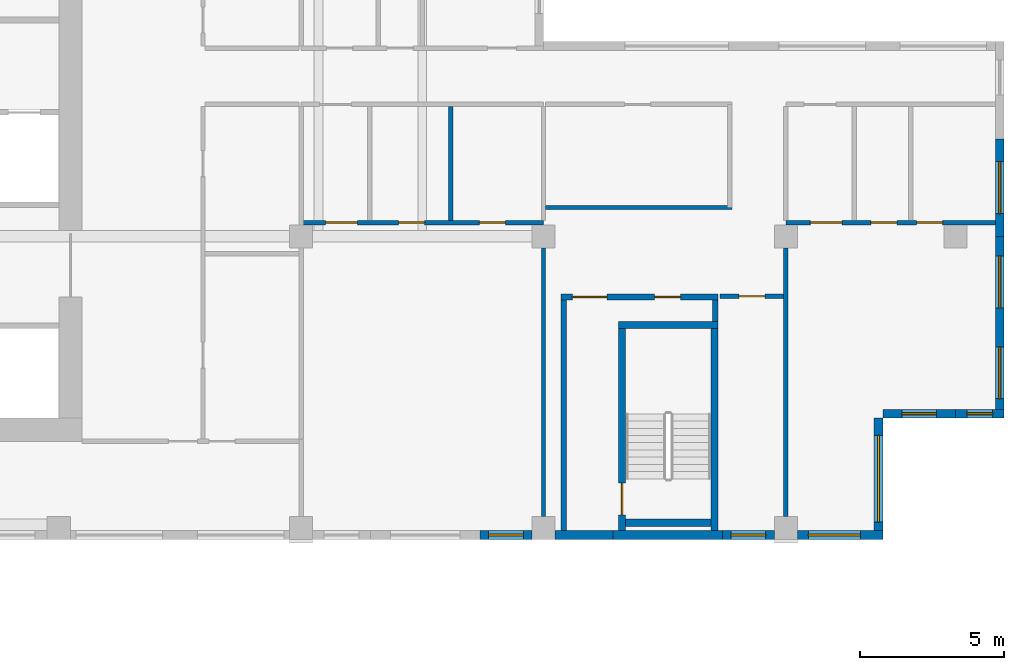
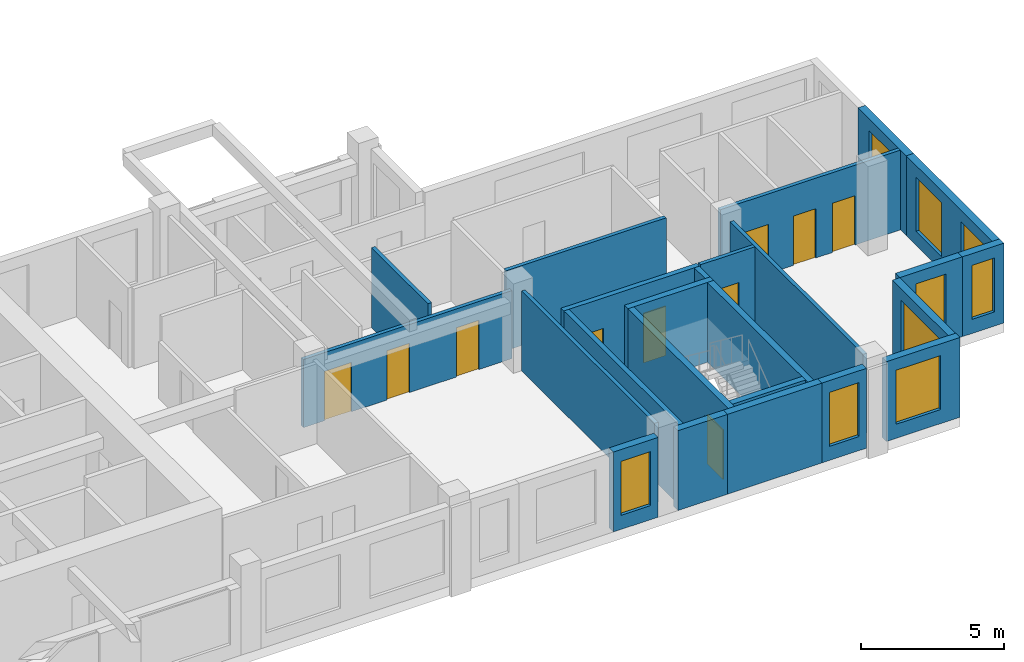
# One storey, part 4 of 11: 24 walls, 10 doors, 9 windows, 19 openings.
"""IFC4 building model written with IfcOpenShell, lengths in metres."""

from ifc_helpers import new_model, si_unit, direction, frame, frame_2d, origin, place, context, subcontext, project, spatial, rectangle, extrude, source, transform, mapped, material, layer, layer_set, type_object, element, fill, save


model = new_model("IFC4")

# Units and contexts
model_context = context("Model", 3, precision=1e-05, world=origin(), true_north=direction((0.0, 1.0)))
body_context = subcontext(model_context, "Body", "Model", "MODEL_VIEW")
ifc_project = project(units=[si_unit("LENGTHUNIT", "METRE"), si_unit("AREAUNIT", "SQUARE_METRE"), si_unit("VOLUMEUNIT", "CUBIC_METRE"), si_unit("PLANEANGLEUNIT", "RADIAN"), si_unit("MASSUNIT", "GRAM", prefix="KILO")], contexts=[model_context])

# Site, building, storey
site_placement = place(None, origin())
site = spatial("IfcSite", under=ifc_project, at=site_placement, CompositionType="ELEMENT")
building_placement = place(site_placement, origin())
building = spatial("IfcBuilding", under=site, at=building_placement, Name="Aurelian Terraces", CompositionType="ELEMENT")
storey_placement = place(building_placement, frame((0.0, 0.0, 250.0)))
storey = spatial("IfcBuildingStorey", under=building, at=storey_placement, Name="L57", CompositionType="ELEMENT", Elevation=250.0)

# Wall, opening, window
ifc_material_1 = material(Name="Terracotta rainscreen cladding", Category="masonry")
ifc_layer_1 = layer(ifc_material_1, 0.3)
ifc_layer_set_1 = layer_set([ifc_layer_1], Name="EW-300")
wall_type_1 = type_object("IfcWallType", Name="EW-300", PredefinedType="STANDARD", material=ifc_layer_set_1)
shared_shape_1 = source(origin(), body_context, "Body", "SweptSolid", [
    extrude(rectangle(XDim=4.2, YDim=0.3, at=frame_2d((2.1, 0.0))), origin(), (0.0, 0.0, 1.0), 3.4),
])
wall_1_placement = place(storey_placement, frame((49.41, 0.0, 0.0), z_axis=(0.0, 0.0, 1.0), x_axis=(0.0, 1.0, 0.0)))
wall_1 = element("IfcWall", 1, at=wall_1_placement, inside=storey, type_object=wall_type_1, Name="External wall L57 F02.7", PredefinedType="STANDARD", context=body_context, shape_type="MappedRepresentation", body=[
    mapped(shared_shape_1, transform((0.0, 0.0, 0.0), scale=1.0)),
])
shared_shape_2 = source(origin(), body_context, "Body", "SweptSolid", [
    extrude(rectangle(XDim=3.0, YDim=2.3, at=frame_2d((1.5, 1.15))), frame((0.0, 0.16, 0.0), z_axis=(0.0, -1.0, 0.0), x_axis=(1.0, 0.0, 0.0)), (0.0, 0.0, 1.0), 0.32),
])
opening_1_placement = place(wall_1_placement, frame((0.6, 0.0, 0.6)))
opening_1 = element("IfcOpeningElement", 2, at=opening_1_placement, cuts=wall_1, Name="Opening W3023", PredefinedType="OPENING", context=body_context, shape_type="MappedRepresentation", body=[
    mapped(shared_shape_2, transform((0.0, 0.0, 0.0), scale=1.0)),
])
ifc_material_2 = material(Name="Clear glazing", Category="glass")
window_type_1 = type_object("IfcWindowType", Name="W-3000x2300", PartitioningType="SINGLE_PANEL", PredefinedType="WINDOW", material=ifc_material_2)
shared_shape_3 = source(origin(), body_context, "Body", "SweptSolid", [
    extrude(rectangle(XDim=3.0, YDim=2.3, at=frame_2d((1.5, 1.15))), frame((0.0, 0.03, 0.0), z_axis=(0.0, -1.0, 0.0), x_axis=(1.0, 0.0, 0.0)), (0.0, 0.0, 1.0), 0.06),
])
window_1_placement = place(opening_1_placement, origin())
window_1 = element("IfcWindow", 3, at=window_1_placement, inside=storey, type_object=window_type_1, Name="Window L57 L57-F02-07-0", OverallHeight=2.3, OverallWidth=3.0, PartitioningType="SINGLE_PANEL", PredefinedType="WINDOW", context=body_context, shape_type="MappedRepresentation", body=[
    mapped(shared_shape_3, transform((0.0, 0.0, 0.0), scale=1.0)),
])
fill(opening_1, window_1)

shared_shape_4 = source(origin(), body_context, "Body", "SweptSolid", [
    extrude(rectangle(XDim=2.52, YDim=0.3, at=frame_2d((1.26, 0.0))), origin(), (0.0, 0.0, 1.0), 3.4),
])
wall_2_placement = place(storey_placement, frame((49.56, 4.35, 0.0), z_axis=(0.0, 0.0, 1.0), x_axis=(1.0, 0.0, 0.0)))
wall_2 = element("IfcWall", 4, at=wall_2_placement, inside=storey, type_object=wall_type_1, Name="External wall L57 F03.8", PredefinedType="STANDARD", context=body_context, shape_type="MappedRepresentation", body=[
    mapped(shared_shape_4, transform((0.0, 0.0, 0.0), scale=1.0)),
])
shared_shape_5 = source(origin(), body_context, "Body", "SweptSolid", [
    extrude(rectangle(XDim=1.2, YDim=2.3, at=frame_2d((0.6, 1.15))), frame((0.0, 0.16, 0.0), z_axis=(0.0, -1.0, 0.0), x_axis=(1.0, 0.0, 0.0)), (0.0, 0.0, 1.0), 0.32),
])
opening_2_placement = place(wall_2_placement, frame((0.66, 0.0, 0.6)))
opening_2 = element("IfcOpeningElement", 5, at=opening_2_placement, cuts=wall_2, Name="Opening W1223", PredefinedType="OPENING", context=body_context, shape_type="MappedRepresentation", body=[
    mapped(shared_shape_5, transform((0.0, 0.0, 0.0), scale=1.0)),
])
window_type_2 = type_object("IfcWindowType", Name="W-1200x2300", PartitioningType="SINGLE_PANEL", PredefinedType="WINDOW", material=ifc_material_2)
shared_shape_6 = source(origin(), body_context, "Body", "SweptSolid", [
    extrude(rectangle(XDim=1.2, YDim=2.3, at=frame_2d((0.6, 1.15))), frame((0.0, 0.03, 0.0), z_axis=(0.0, -1.0, 0.0), x_axis=(1.0, 0.0, 0.0)), (0.0, 0.0, 1.0), 0.06),
])
window_2_placement = place(opening_2_placement, origin())
window_2 = element("IfcWindow", 6, at=window_2_placement, inside=storey, type_object=window_type_2, Name="Window L57 L57-F03-08-0", OverallHeight=2.3, OverallWidth=1.2, PartitioningType="SINGLE_PANEL", PredefinedType="WINDOW", context=body_context, shape_type="MappedRepresentation", body=[
    mapped(shared_shape_6, transform((0.0, 0.0, 0.0), scale=1.0)),
])
fill(opening_2, window_2)

shared_shape_7 = source(origin(), body_context, "Body", "SweptSolid", [
    extrude(rectangle(XDim=1.68, YDim=0.3, at=frame_2d((0.84, 0.0))), origin(), (0.0, 0.0, 1.0), 3.4),
])
wall_3_placement = place(storey_placement, frame((52.08, 4.35, 0.0), z_axis=(0.0, 0.0, 1.0), x_axis=(1.0, 0.0, 0.0)))
wall_3 = element("IfcWall", 7, at=wall_3_placement, inside=storey, type_object=wall_type_1, Name="External wall L57 F03.9", PredefinedType="STANDARD", context=body_context, shape_type="MappedRepresentation", body=[
    mapped(shared_shape_7, transform((0.0, 0.0, 0.0), scale=1.0)),
])
shared_shape_8 = source(origin(), body_context, "Body", "SweptSolid", [
    extrude(rectangle(XDim=0.9, YDim=2.3, at=frame_2d((0.45, 1.15))), frame((0.0, 0.16, 0.0), z_axis=(0.0, -1.0, 0.0), x_axis=(1.0, 0.0, 0.0)), (0.0, 0.0, 1.0), 0.32),
])
opening_3_placement = place(wall_3_placement, frame((0.39, 0.0, 0.6)))
opening_3 = element("IfcOpeningElement", 8, at=opening_3_placement, cuts=wall_3, Name="Opening W0923", PredefinedType="OPENING", context=body_context, shape_type="MappedRepresentation", body=[
    mapped(shared_shape_8, transform((0.0, 0.0, 0.0), scale=1.0)),
])
window_type_3 = type_object("IfcWindowType", Name="W-900x2300", PartitioningType="SINGLE_PANEL", PredefinedType="WINDOW", material=ifc_material_2)
shared_shape_9 = source(origin(), body_context, "Body", "SweptSolid", [
    extrude(rectangle(XDim=0.9, YDim=2.3, at=frame_2d((0.45, 1.15))), frame((0.0, 0.03, 0.0), z_axis=(0.0, -1.0, 0.0), x_axis=(1.0, 0.0, 0.0)), (0.0, 0.0, 1.0), 0.06),
])
window_3_placement = place(opening_3_placement, origin())
window_3 = element("IfcWindow", 9, at=window_3_placement, inside=storey, type_object=window_type_3, Name="Window L57 L57-F03-09-P0", OverallHeight=2.3, OverallWidth=0.9, PartitioningType="SINGLE_PANEL", PredefinedType="WINDOW", context=body_context, shape_type="MappedRepresentation", body=[
    mapped(shared_shape_9, transform((0.0, 0.0, 0.0), scale=1.0)),
])
fill(opening_3, window_3)

# Wall
ifc_material_3 = material(Name="Concrete fc' 40 MPa", Category="concrete")
ifc_layer_2 = layer(ifc_material_3, 0.3)
ifc_layer_set_2 = layer_set([ifc_layer_2], Name="STAIR BAY WALL 300")
wall_type_2 = type_object("IfcWallType", Name="STAIR BAY WALL 300", PredefinedType="SOLIDWALL", material=ifc_layer_set_2)
shared_shape_10 = source(origin(), body_context, "Body", "SweptSolid", [
    extrude(rectangle(XDim=3.8, YDim=0.3, at=frame_2d((1.9, 0.0))), origin(), (0.0, 0.0, 1.0), 3.4),
])
wall_4_placement = place(storey_placement, frame((40.2, 0.15, 0.0), z_axis=(0.0, 0.0, 1.0), x_axis=(1.0, 0.0, 0.0)))
element("IfcWall", 10, at=wall_4_placement, inside=storey, type_object=wall_type_2, Name="Stair bay wall L57 F01.5", PredefinedType="SOLIDWALL", context=body_context, shape_type="MappedRepresentation", body=[
    mapped(shared_shape_10, transform((0.0, 0.0, 0.0), scale=1.0)),
])

# Wall, openings, windows
shared_shape_11 = source(origin(), body_context, "Body", "SweptSolid", [
    extrude(rectangle(XDim=6.3, YDim=0.3, at=frame_2d((3.15, 0.0))), origin(), (0.0, 0.0, 1.0), 3.4),
])
wall_5_placement = place(storey_placement, frame((53.61, 4.2, 0.0), z_axis=(0.0, 0.0, 1.0), x_axis=(0.0, 1.0, 0.0)))
wall_5 = element("IfcWall", 11, at=wall_5_placement, inside=storey, type_object=wall_type_1, Name="External wall L57 F04.10", PredefinedType="STANDARD", context=body_context, shape_type="MappedRepresentation", body=[
    mapped(shared_shape_11, transform((0.0, 0.0, 0.0), scale=1.0)),
])
shared_shape_12 = source(origin(), body_context, "Body", "SweptSolid", [
    extrude(rectangle(XDim=1.8, YDim=2.3, at=frame_2d((0.9, 1.15))), frame((0.0, 0.16, 0.0), z_axis=(0.0, -1.0, 0.0), x_axis=(1.0, 0.0, 0.0)), (0.0, 0.0, 1.0), 0.32),
])
opening_4_placement = place(wall_5_placement, frame((0.675, 0.0, 0.6)))
opening_4 = element("IfcOpeningElement", 12, at=opening_4_placement, cuts=wall_5, Name="Opening W1823", PredefinedType="OPENING", context=body_context, shape_type="MappedRepresentation", body=[
    mapped(shared_shape_12, transform((0.0, 0.0, 0.0), scale=1.0)),
])
opening_5_placement = place(wall_5_placement, frame((3.825, 0.0, 0.6)))
opening_5 = element("IfcOpeningElement", 13, at=opening_5_placement, cuts=wall_5, Name="Opening W1823", PredefinedType="OPENING", context=body_context, shape_type="MappedRepresentation", body=[
    mapped(shared_shape_12, transform((0.0, 0.0, 0.0), scale=1.0)),
])
window_type_4 = type_object("IfcWindowType", Name="W-1800x2300", PartitioningType="SINGLE_PANEL", PredefinedType="WINDOW", material=ifc_material_2)
shared_shape_13 = source(origin(), body_context, "Body", "SweptSolid", [
    extrude(rectangle(XDim=1.8, YDim=2.3, at=frame_2d((0.9, 1.15))), frame((0.0, 0.03, 0.0), z_axis=(0.0, -1.0, 0.0), x_axis=(1.0, 0.0, 0.0)), (0.0, 0.0, 1.0), 0.06),
])
window_4_placement = place(opening_4_placement, origin())
window_4 = element("IfcWindow", 14, at=window_4_placement, inside=storey, type_object=window_type_4, Name="Window L57 L57-F04-10-0", OverallHeight=2.3, OverallWidth=1.8, PartitioningType="SINGLE_PANEL", PredefinedType="WINDOW", context=body_context, shape_type="MappedRepresentation", body=[
    mapped(shared_shape_13, transform((0.0, 0.0, 0.0), scale=1.0)),
])
fill(opening_4, window_4)
window_5_placement = place(opening_5_placement, origin())
window_5 = element("IfcWindow", 15, at=window_5_placement, inside=storey, type_object=window_type_4, Name="Window L57 L57-F04-10-1", OverallHeight=2.3, OverallWidth=1.8, PartitioningType="SINGLE_PANEL", PredefinedType="WINDOW", context=body_context, shape_type="MappedRepresentation", body=[
    mapped(shared_shape_13, transform((0.0, 0.0, 0.0), scale=1.0)),
])
fill(opening_5, window_5)

# Wall, opening, window
shared_shape_14 = source(origin(), body_context, "Body", "SweptSolid", [
    extrude(rectangle(XDim=3.375, YDim=0.3, at=frame_2d((1.6875, 0.0))), origin(), (0.0, 0.0, 1.0), 3.4),
])
wall_6_placement = place(storey_placement, frame((53.61, 10.5, 0.0), z_axis=(0.0, 0.0, 1.0), x_axis=(0.0, 1.0, 0.0)))
wall_6 = element("IfcWall", 16, at=wall_6_placement, inside=storey, type_object=wall_type_1, Name="External wall L57 F04.11", PredefinedType="STANDARD", context=body_context, shape_type="MappedRepresentation", body=[
    mapped(shared_shape_14, transform((0.0, 0.0, 0.0), scale=1.0)),
])
opening_6_placement = place(wall_6_placement, frame((0.7875, 0.0, 0.6)))
opening_6 = element("IfcOpeningElement", 17, at=opening_6_placement, cuts=wall_6, Name="Opening W1823", PredefinedType="OPENING", context=body_context, shape_type="MappedRepresentation", body=[
    mapped(shared_shape_12, transform((0.0, 0.0, 0.0), scale=1.0)),
])
window_6_placement = place(opening_6_placement, origin())
window_6 = element("IfcWindow", 18, at=window_6_placement, inside=storey, type_object=window_type_4, Name="Window L57 L57-F04-11-0", OverallHeight=2.3, OverallWidth=1.8, PartitioningType="SINGLE_PANEL", PredefinedType="WINDOW", context=body_context, shape_type="MappedRepresentation", body=[
    mapped(shared_shape_13, transform((0.0, 0.0, 0.0), scale=1.0)),
])
fill(opening_6, window_6)

shared_shape_15 = source(origin(), body_context, "Body", "SweptSolid", [
    extrude(rectangle(XDim=2.96, YDim=0.3, at=frame_2d((1.48, 0.0))), origin(), (0.0, 0.0, 1.0), 3.4),
])
wall_7_placement = place(storey_placement, frame((46.6, 0.15, 0.0), z_axis=(0.0, 0.0, 1.0), x_axis=(1.0, 0.0, 0.0)))
wall_7 = element("IfcWall", 19, at=wall_7_placement, inside=storey, type_object=wall_type_1, Name="External wall L57 F01.6", PredefinedType="STANDARD", context=body_context, shape_type="MappedRepresentation", body=[
    mapped(shared_shape_15, transform((0.0, 0.0, 0.0), scale=1.0)),
])
opening_7_placement = place(wall_7_placement, frame((0.38, 0.0, 0.6)))
opening_7 = element("IfcOpeningElement", 20, at=opening_7_placement, cuts=wall_7, Name="Opening W1823", PredefinedType="OPENING", context=body_context, shape_type="MappedRepresentation", body=[
    mapped(shared_shape_12, transform((0.0, 0.0, 0.0), scale=1.0)),
])
window_7_placement = place(opening_7_placement, origin())
window_7 = element("IfcWindow", 21, at=window_7_placement, inside=storey, type_object=window_type_4, Name="Window L57 L57-F01-06-0", OverallHeight=2.3, OverallWidth=1.8, PartitioningType="SINGLE_PANEL", PredefinedType="WINDOW", context=body_context, shape_type="MappedRepresentation", body=[
    mapped(shared_shape_13, transform((0.0, 0.0, 0.0), scale=1.0)),
])
fill(opening_7, window_7)

# Wall
shared_shape_16 = source(origin(), body_context, "Body", "SweptSolid", [
    extrude(rectangle(XDim=2.0, YDim=0.3, at=frame_2d((1.0, 0.0))), origin(), (0.0, 0.0, 1.0), 3.4),
])
wall_8_placement = place(storey_placement, frame((38.2, 0.15, 0.0), z_axis=(0.0, 0.0, 1.0), x_axis=(1.0, 0.0, 0.0)))
element("IfcWall", 22, at=wall_8_placement, inside=storey, type_object=wall_type_1, Name="External wall L57 F01.5", PredefinedType="STANDARD", context=body_context, shape_type="MappedRepresentation", body=[
    mapped(shared_shape_16, transform((0.0, 0.0, 0.0), scale=1.0)),
])

# Wall, opening, window
shared_shape_17 = source(origin(), body_context, "Body", "SweptSolid", [
    extrude(rectangle(XDim=1.8, YDim=0.3, at=frame_2d((0.9, 0.0))), origin(), (0.0, 0.0, 1.0), 3.4),
])
wall_9_placement = place(storey_placement, frame((35.6, 0.15, 0.0), z_axis=(0.0, 0.0, 1.0), x_axis=(1.0, 0.0, 0.0)))
wall_9 = element("IfcWall", 23, at=wall_9_placement, inside=storey, type_object=wall_type_1, Name="External wall L57 F01.4", PredefinedType="STANDARD", context=body_context, shape_type="MappedRepresentation", body=[
    mapped(shared_shape_17, transform((0.0, 0.0, 0.0), scale=1.0)),
])
opening_8_placement = place(wall_9_placement, frame((0.3, 0.0, 0.6)))
opening_8 = element("IfcOpeningElement", 24, at=opening_8_placement, cuts=wall_9, Name="Opening W1223", PredefinedType="OPENING", context=body_context, shape_type="MappedRepresentation", body=[
    mapped(shared_shape_5, transform((0.0, 0.0, 0.0), scale=1.0)),
])
window_8_placement = place(opening_8_placement, origin())
window_8 = element("IfcWindow", 25, at=window_8_placement, inside=storey, type_object=window_type_2, Name="Window L57 L57-F01-04-P2", OverallHeight=2.3, OverallWidth=1.2, PartitioningType="SINGLE_PANEL", PredefinedType="WINDOW", context=body_context, shape_type="MappedRepresentation", body=[
    mapped(shared_shape_6, transform((0.0, 0.0, 0.0), scale=1.0)),
])
fill(opening_8, window_8)

wall_10_placement = place(storey_placement, frame((44.0, 0.15, 0.0), z_axis=(0.0, 0.0, 1.0), x_axis=(1.0, 0.0, 0.0)))
wall_10 = element("IfcWall", 26, at=wall_10_placement, inside=storey, type_object=wall_type_1, Name="External wall L57 F01.5", PredefinedType="STANDARD", context=body_context, shape_type="MappedRepresentation", body=[
    mapped(shared_shape_17, transform((0.0, 0.0, 0.0), scale=1.0)),
])
opening_9_placement = place(wall_10_placement, frame((0.3, 0.0, 0.6)))
opening_9 = element("IfcOpeningElement", 27, at=opening_9_placement, cuts=wall_10, Name="Opening W1223", PredefinedType="OPENING", context=body_context, shape_type="MappedRepresentation", body=[
    mapped(shared_shape_5, transform((0.0, 0.0, 0.0), scale=1.0)),
])
window_9_placement = place(opening_9_placement, origin())
window_9 = element("IfcWindow", 28, at=window_9_placement, inside=storey, type_object=window_type_2, Name="Window L57 L57-F01-05-P2", OverallHeight=2.3, OverallWidth=1.2, PartitioningType="SINGLE_PANEL", PredefinedType="WINDOW", context=body_context, shape_type="MappedRepresentation", body=[
    mapped(shared_shape_6, transform((0.0, 0.0, 0.0), scale=1.0)),
])
fill(opening_9, window_9)

# Wall, opening, door
ifc_layer_3 = layer(ifc_material_3, 0.25)
ifc_layer_set_3 = layer_set([ifc_layer_3], Name="Stair enclosure wall 250")
wall_type_3 = type_object("IfcWallType", Name="Stair enclosure wall 250", PredefinedType="SOLIDWALL", material=ifc_layer_set_3)
shared_shape_18 = source(origin(), body_context, "Body", "SweptSolid", [
    extrude(rectangle(XDim=7.0, YDim=0.25, at=frame_2d((3.5, 0.0))), origin(), (0.0, 0.0, 1.0), 3.4),
])
wall_11_placement = place(storey_placement, frame((40.525, 0.3, 0.0), z_axis=(0.0, 0.0, 1.0), x_axis=(0.0, 1.0, 0.0)))
wall_11 = element("IfcWall", 29, at=wall_11_placement, inside=storey, type_object=wall_type_3, Name="L57 core wall ST-S2-W", PredefinedType="SOLIDWALL", context=body_context, shape_type="MappedRepresentation", body=[
    mapped(shared_shape_18, transform((0.0, 0.0, 0.0), scale=1.0)),
])
shared_shape_19 = source(origin(), body_context, "Body", "SweptSolid", [
    extrude(rectangle(XDim=1.1, YDim=2.1, at=frame_2d((0.55, 1.05))), frame((0.0, 0.135, 0.0), z_axis=(0.0, -1.0, 0.0), x_axis=(1.0, 0.0, 0.0)), (0.0, 0.0, 1.0), 0.27),
])
opening_10_placement = place(wall_11_placement, frame((0.55, 0.0, 0.0)))
opening_10 = element("IfcOpeningElement", 30, at=opening_10_placement, cuts=wall_11, Name="Opening 66015", PredefinedType="OPENING", context=body_context, shape_type="MappedRepresentation", body=[
    mapped(shared_shape_19, transform((0.0, 0.0, 0.0), scale=1.0)),
])
ifc_material_4 = material(Name="Steel door leaf", Category="steel")
door_type_1 = type_object("IfcDoorType", Name="Core fire door 1100x2100 right", OperationType="SINGLE_SWING_RIGHT", PredefinedType="DOOR", material=ifc_material_4)
shared_shape_20 = source(origin(), body_context, "Body", "SweptSolid", [
    extrude(rectangle(XDim=1.1, YDim=2.1, at=frame_2d((0.55, 1.05))), frame((0.0, 0.025, 0.0), z_axis=(0.0, -1.0, 0.0), x_axis=(1.0, 0.0, 0.0)), (0.0, 0.0, 1.0), 0.05),
])
door_1_placement = place(opening_10_placement, origin())
door_1 = element("IfcDoor", 31, at=door_1_placement, inside=storey, type_object=door_type_1, Name="Stair door 66015", OperationType="SINGLE_SWING_RIGHT", OverallHeight=2.1, OverallWidth=1.1, PredefinedType="DOOR", context=body_context, shape_type="MappedRepresentation", body=[
    mapped(shared_shape_20, transform((0.0, 0.0, 0.0), scale=1.0)),
])
fill(opening_10, door_1)

# Walls
wall_12_placement = place(storey_placement, frame((43.725, 0.3, 0.0), z_axis=(0.0, 0.0, 1.0), x_axis=(0.0, 1.0, 0.0)))
element("IfcWall", 32, at=wall_12_placement, inside=storey, type_object=wall_type_3, Name="L57 core wall ST-S2-E", PredefinedType="SOLIDWALL", context=body_context, shape_type="MappedRepresentation", body=[
    mapped(shared_shape_18, transform((0.0, 0.0, 0.0), scale=1.0)),
])
shared_shape_21 = source(origin(), body_context, "Body", "SweptSolid", [
    extrude(rectangle(XDim=3.45, YDim=0.25, at=frame_2d((1.725, 0.0))), origin(), (0.0, 0.0, 1.0), 3.4),
])
wall_13_placement = place(storey_placement, frame((40.4, 7.425, 0.0), z_axis=(0.0, 0.0, 1.0), x_axis=(1.0, 0.0, 0.0)))
element("IfcWall", 33, at=wall_13_placement, inside=storey, type_object=wall_type_3, Name="L57 core wall ST-S2-N", PredefinedType="SOLIDWALL", context=body_context, shape_type="MappedRepresentation", body=[
    mapped(shared_shape_21, transform((0.0, 0.0, 0.0), scale=1.0)),
])
shared_shape_22 = source(origin(), body_context, "Body", "SweptSolid", [
    extrude(rectangle(XDim=2.95, YDim=0.25, at=frame_2d((1.475, 0.0))), origin(), (0.0, 0.0, 1.0), 3.4),
])
wall_14_placement = place(storey_placement, frame((40.65, 0.575, 0.0), z_axis=(0.0, 0.0, 1.0), x_axis=(1.0, 0.0, 0.0)))
element("IfcWall", 34, at=wall_14_placement, inside=storey, type_object=wall_type_3, Name="L57 core wall ST-S2-SS", PredefinedType="SOLIDWALL", context=body_context, shape_type="MappedRepresentation", body=[
    mapped(shared_shape_22, transform((0.0, 0.0, 0.0), scale=1.0)),
])

# Wall, openings, doors
ifc_material_5 = material(Name="Gypsum board on steel studs", Category="steel")
ifc_layer_4 = layer(ifc_material_5, 0.2)
ifc_layer_set_4 = layer_set([ifc_layer_4], Name="Core partition 200")
wall_type_4 = type_object("IfcWallType", Name="Core partition 200", PredefinedType="PARTITIONING", material=ifc_layer_set_4)
shared_shape_23 = source(origin(), body_context, "Body", "SweptSolid", [
    extrude(rectangle(XDim=5.45, YDim=0.2, at=frame_2d((2.725, 0.0))), origin(), (0.0, 0.0, 1.0), 3.4),
])
wall_15_placement = place(storey_placement, frame((38.4, 8.4, 0.0), z_axis=(0.0, 0.0, 1.0), x_axis=(1.0, 0.0, 0.0)))
wall_15 = element("IfcWall", 35, at=wall_15_placement, inside=storey, type_object=wall_type_4, Name="L57 core wall ST-S2-BN", PredefinedType="PARTITIONING", context=body_context, shape_type="MappedRepresentation", body=[
    mapped(shared_shape_23, transform((0.0, 0.0, 0.0), scale=1.0)),
])
shared_shape_24 = source(origin(), body_context, "Body", "SweptSolid", [
    extrude(rectangle(XDim=1.2, YDim=2.1, at=frame_2d((0.6, 1.05))), frame((0.0, 0.11, 0.0), z_axis=(0.0, -1.0, 0.0), x_axis=(1.0, 0.0, 0.0)), (0.0, 0.0, 1.0), 0.22),
])
opening_11_placement = place(wall_15_placement, frame((0.4, 0.0, 0.0)))
opening_11 = element("IfcOpeningElement", 36, at=opening_11_placement, cuts=wall_15, Name="Opening 66016", PredefinedType="OPENING", context=body_context, shape_type="MappedRepresentation", body=[
    mapped(shared_shape_24, transform((0.0, 0.0, 0.0), scale=1.0)),
])
shared_shape_25 = source(origin(), body_context, "Body", "SweptSolid", [
    extrude(rectangle(XDim=0.9, YDim=2.1, at=frame_2d((0.45, 1.05))), frame((0.0, 0.11, 0.0), z_axis=(0.0, -1.0, 0.0), x_axis=(1.0, 0.0, 0.0)), (0.0, 0.0, 1.0), 0.22),
])
opening_12_placement = place(wall_15_placement, frame((3.25, 0.0, 0.0)))
opening_12 = element("IfcOpeningElement", 37, at=opening_12_placement, cuts=wall_15, Name="Opening 66017", PredefinedType="OPENING", context=body_context, shape_type="MappedRepresentation", body=[
    mapped(shared_shape_25, transform((0.0, 0.0, 0.0), scale=1.0)),
])
door_type_2 = type_object("IfcDoorType", Name="Core riser door 900x2100 right", OperationType="SINGLE_SWING_RIGHT", PredefinedType="DOOR", material=ifc_material_4)
shared_shape_26 = source(origin(), body_context, "Body", "SweptSolid", [
    extrude(rectangle(XDim=0.9, YDim=2.1, at=frame_2d((0.45, 1.05))), frame((0.0, 0.025, 0.0), z_axis=(0.0, -1.0, 0.0), x_axis=(1.0, 0.0, 0.0)), (0.0, 0.0, 1.0), 0.05),
])
door_2_placement = place(opening_12_placement, origin())
door_2 = element("IfcDoor", 38, at=door_2_placement, inside=storey, type_object=door_type_2, Name="Riser door 66017", OperationType="SINGLE_SWING_RIGHT", OverallHeight=2.1, OverallWidth=0.9, PredefinedType="DOOR", context=body_context, shape_type="MappedRepresentation", body=[
    mapped(shared_shape_26, transform((0.0, 0.0, 0.0), scale=1.0)),
])
fill(opening_12, door_2)
door_type_3 = type_object("IfcDoorType", Name="Core fire door 1200x2100", OperationType="SINGLE_SWING_LEFT", PredefinedType="DOOR", material=ifc_material_4)
shared_shape_27 = source(origin(), body_context, "Body", "SweptSolid", [
    extrude(rectangle(XDim=1.2, YDim=2.1, at=frame_2d((0.6, 1.05))), frame((0.0, 0.025, 0.0), z_axis=(0.0, -1.0, 0.0), x_axis=(1.0, 0.0, 0.0)), (0.0, 0.0, 1.0), 0.05),
])
door_3_placement = place(opening_11_placement, origin())
door_3 = element("IfcDoor", 39, at=door_3_placement, inside=storey, type_object=door_type_3, Name="Vestibule door 66016", OperationType="SINGLE_SWING_LEFT", OverallHeight=2.1, OverallWidth=1.2, PredefinedType="DOOR", context=body_context, shape_type="MappedRepresentation", body=[
    mapped(shared_shape_27, transform((0.0, 0.0, 0.0), scale=1.0)),
])
fill(opening_11, door_3)

# Walls
shared_shape_28 = source(origin(), body_context, "Body", "SweptSolid", [
    extrude(rectangle(XDim=0.75, YDim=0.2, at=frame_2d((0.375, 0.0))), origin(), (0.0, 0.0, 1.0), 3.4),
])
wall_16_placement = place(storey_placement, frame((43.75, 7.55, 0.0), z_axis=(0.0, 0.0, 1.0), x_axis=(0.0, 1.0, 0.0)))
element("IfcWall", 40, at=wall_16_placement, inside=storey, type_object=wall_type_4, Name="L57 core wall ST-S2-RE", PredefinedType="PARTITIONING", context=body_context, shape_type="MappedRepresentation", body=[
    mapped(shared_shape_28, transform((0.0, 0.0, 0.0), scale=1.0)),
])
shared_shape_29 = source(origin(), body_context, "Body", "SweptSolid", [
    extrude(rectangle(XDim=8.0, YDim=0.2, at=frame_2d((4.0, 0.0))), origin(), (0.0, 0.0, 1.0), 3.4),
])
wall_17_placement = place(storey_placement, frame((38.5, 0.3, 0.0), z_axis=(0.0, 0.0, 1.0), x_axis=(0.0, 1.0, 0.0)))
element("IfcWall", 41, at=wall_17_placement, inside=storey, type_object=wall_type_4, Name="L57 core wall ST-S2-VW", PredefinedType="PARTITIONING", context=body_context, shape_type="MappedRepresentation", body=[
    mapped(shared_shape_29, transform((0.0, 0.0, 0.0), scale=1.0)),
])
ifc_layer_5 = layer(ifc_material_5, 0.15)
ifc_layer_set_5 = layer_set([ifc_layer_5], Name="Partition 150")
wall_type_5 = type_object("IfcWallType", Name="Partition 150", PredefinedType="PARTITIONING", material=ifc_layer_set_5)
shared_shape_30 = source(origin(), body_context, "Body", "SweptSolid", [
    extrude(rectangle(XDim=6.45, YDim=0.15, at=frame_2d((3.225, 0.0))), origin(), (0.0, 0.0, 1.0), 3.4),
])
wall_18_placement = place(storey_placement, frame((37.875, 11.5, 0.0), z_axis=(0.0, 0.0, 1.0), x_axis=(1.0, 0.0, 0.0)))
element("IfcWall", 42, at=wall_18_placement, inside=storey, type_object=wall_type_5, Name="Partition", PredefinedType="PARTITIONING", context=body_context, shape_type="MappedRepresentation", body=[
    mapped(shared_shape_30, transform((0.0, 0.0, 0.0), scale=1.0)),
])

# Wall, opening, door
shared_shape_31 = source(origin(), body_context, "Body", "SweptSolid", [
    extrude(rectangle(XDim=2.2, YDim=0.15, at=frame_2d((1.1, 0.0))), origin(), (0.0, 0.0, 1.0), 3.4),
])
wall_19_placement = place(storey_placement, frame((46.125, 8.425, 0.0), z_axis=(0.0, 0.0, 1.0), x_axis=(-1.0, 0.0, 0.0)))
wall_19 = element("IfcWall", 43, at=wall_19_placement, inside=storey, type_object=wall_type_5, Name="Partition", PredefinedType="PARTITIONING", context=body_context, shape_type="MappedRepresentation", body=[
    mapped(shared_shape_31, transform((0.0, 0.0, 0.0), scale=1.0)),
])
shared_shape_32 = source(origin(), body_context, "Body", "SweptSolid", [
    extrude(rectangle(XDim=0.9, YDim=2.1, at=frame_2d((0.45, 1.05))), frame((0.0, 0.085, 0.0), z_axis=(0.0, -1.0, 0.0), x_axis=(1.0, 0.0, 0.0)), (0.0, 0.0, 1.0), 0.17),
])
opening_13_placement = place(wall_19_placement, frame((0.65, 0.0, 0.0)))
opening_13 = element("IfcOpeningElement", 44, at=opening_13_placement, cuts=wall_19, Name="Opening 757006", PredefinedType="OPENING", context=body_context, shape_type="MappedRepresentation", body=[
    mapped(shared_shape_32, transform((0.0, 0.0, 0.0), scale=1.0)),
])
ifc_material_6 = material(Name="Timber door leaf", Category="wood")
door_type_4 = type_object("IfcDoorType", Name="Room door 900x2100 right", OperationType="SINGLE_SWING_RIGHT", PredefinedType="DOOR", material=ifc_material_6)
door_4_placement = place(opening_13_placement, origin())
door_4 = element("IfcDoor", 45, at=door_4_placement, inside=storey, type_object=door_type_4, Name="Door 757006", OperationType="SINGLE_SWING_RIGHT", OverallHeight=2.1, OverallWidth=0.9, PredefinedType="DOOR", context=body_context, shape_type="MappedRepresentation", body=[
    mapped(shared_shape_26, transform((0.0, 0.0, 0.0), scale=1.0)),
])
fill(opening_13, door_4)

# Wall, openings, doors
shared_shape_33 = source(origin(), body_context, "Body", "SweptSolid", [
    extrude(rectangle(XDim=7.26, YDim=0.15, at=frame_2d((3.63, 0.0))), origin(), (0.0, 0.0, 1.0), 3.4),
])
wall_20_placement = place(storey_placement, frame((53.46, 10.975, 0.0), z_axis=(0.0, 0.0, 1.0), x_axis=(-1.0, 0.0, 0.0)))
wall_20 = element("IfcWall", 46, at=wall_20_placement, inside=storey, type_object=wall_type_5, Name="Partition", PredefinedType="PARTITIONING", context=body_context, shape_type="MappedRepresentation", body=[
    mapped(shared_shape_33, transform((0.0, 0.0, 0.0), scale=1.0)),
])
shared_shape_34 = source(origin(), body_context, "Body", "SweptSolid", [
    extrude(rectangle(XDim=1.1, YDim=2.1, at=frame_2d((0.55, 1.05))), frame((0.0, 0.085, 0.0), z_axis=(0.0, -1.0, 0.0), x_axis=(1.0, 0.0, 0.0)), (0.0, 0.0, 1.0), 0.17),
])
opening_14_placement = place(wall_20_placement, frame((5.3126, 0.0, 0.0)))
opening_14 = element("IfcOpeningElement", 47, at=opening_14_placement, cuts=wall_20, Name="Opening 757012", PredefinedType="OPENING", context=body_context, shape_type="MappedRepresentation", body=[
    mapped(shared_shape_34, transform((0.0, 0.0, 0.0), scale=1.0)),
])
opening_15_placement = place(wall_20_placement, frame((3.4136, 0.0, 0.0)))
opening_15 = element("IfcOpeningElement", 48, at=opening_15_placement, cuts=wall_20, Name="Opening 757013", PredefinedType="OPENING", context=body_context, shape_type="MappedRepresentation", body=[
    mapped(shared_shape_32, transform((0.0, 0.0, 0.0), scale=1.0)),
])
opening_16_placement = place(wall_20_placement, frame((1.831, 0.0, 0.0)))
opening_16 = element("IfcOpeningElement", 49, at=opening_16_placement, cuts=wall_20, Name="Opening 757014", PredefinedType="OPENING", context=body_context, shape_type="MappedRepresentation", body=[
    mapped(shared_shape_32, transform((0.0, 0.0, 0.0), scale=1.0)),
])
door_type_5 = type_object("IfcDoorType", Name="Room door 900x2100 left", OperationType="SINGLE_SWING_LEFT", PredefinedType="DOOR", material=ifc_material_6)
door_5_placement = place(opening_15_placement, origin())
door_5 = element("IfcDoor", 50, at=door_5_placement, inside=storey, type_object=door_type_5, Name="Door 757013", OperationType="SINGLE_SWING_LEFT", OverallHeight=2.1, OverallWidth=0.9, PredefinedType="DOOR", context=body_context, shape_type="MappedRepresentation", body=[
    mapped(shared_shape_26, transform((0.0, 0.0, 0.0), scale=1.0)),
])
fill(opening_15, door_5)
door_6_placement = place(opening_16_placement, origin())
door_6 = element("IfcDoor", 51, at=door_6_placement, inside=storey, type_object=door_type_4, Name="Door 757014", OperationType="SINGLE_SWING_RIGHT", OverallHeight=2.1, OverallWidth=0.9, PredefinedType="DOOR", context=body_context, shape_type="MappedRepresentation", body=[
    mapped(shared_shape_26, transform((0.0, 0.0, 0.0), scale=1.0)),
])
fill(opening_16, door_6)
door_type_6 = type_object("IfcDoorType", Name="Room door 1100x2100 right", OperationType="SINGLE_SWING_RIGHT", PredefinedType="DOOR", material=ifc_material_6)
door_7_placement = place(opening_14_placement, origin())
door_7 = element("IfcDoor", 52, at=door_7_placement, inside=storey, type_object=door_type_6, Name="Door 757012", OperationType="SINGLE_SWING_RIGHT", OverallHeight=2.1, OverallWidth=1.1, PredefinedType="DOOR", context=body_context, shape_type="MappedRepresentation", body=[
    mapped(shared_shape_20, transform((0.0, 0.0, 0.0), scale=1.0)),
])
fill(opening_14, door_7)

shared_shape_35 = source(origin(), body_context, "Body", "SweptSolid", [
    extrude(rectangle(XDim=8.4, YDim=0.15, at=frame_2d((4.2, 0.0))), origin(), (0.0, 0.0, 1.0), 2.9),
])
wall_21_placement = place(storey_placement, frame((37.8, 10.975, 0.0), z_axis=(0.0, 0.0, 1.0), x_axis=(-1.0, 0.0, 0.0)))
wall_21 = element("IfcWall", 53, at=wall_21_placement, inside=storey, type_object=wall_type_5, Name="Partition", PredefinedType="PARTITIONING", context=body_context, shape_type="MappedRepresentation", body=[
    mapped(shared_shape_35, transform((0.0, 0.0, 0.0), scale=1.0)),
])
opening_17_placement = place(wall_21_placement, frame((6.449, 0.0, 0.0)))
opening_17 = element("IfcOpeningElement", 54, at=opening_17_placement, cuts=wall_21, Name="Opening 757008", PredefinedType="OPENING", context=body_context, shape_type="MappedRepresentation", body=[
    mapped(shared_shape_34, transform((0.0, 0.0, 0.0), scale=1.0)),
])
opening_18_placement = place(wall_21_placement, frame((4.1201, 0.0, 0.0)))
opening_18 = element("IfcOpeningElement", 55, at=opening_18_placement, cuts=wall_21, Name="Opening 757009", PredefinedType="OPENING", context=body_context, shape_type="MappedRepresentation", body=[
    mapped(shared_shape_32, transform((0.0, 0.0, 0.0), scale=1.0)),
])
opening_19_placement = place(wall_21_placement, frame((1.3212, 0.0, 0.0)))
opening_19 = element("IfcOpeningElement", 56, at=opening_19_placement, cuts=wall_21, Name="Opening 757010", PredefinedType="OPENING", context=body_context, shape_type="MappedRepresentation", body=[
    mapped(shared_shape_32, transform((0.0, 0.0, 0.0), scale=1.0)),
])
door_8_placement = place(opening_18_placement, origin())
door_8 = element("IfcDoor", 57, at=door_8_placement, inside=storey, type_object=door_type_5, Name="Door 757009", OperationType="SINGLE_SWING_LEFT", OverallHeight=2.1, OverallWidth=0.9, PredefinedType="DOOR", context=body_context, shape_type="MappedRepresentation", body=[
    mapped(shared_shape_26, transform((0.0, 0.0, 0.0), scale=1.0)),
])
fill(opening_18, door_8)
door_9_placement = place(opening_19_placement, origin())
door_9 = element("IfcDoor", 58, at=door_9_placement, inside=storey, type_object=door_type_4, Name="Door 757010", OperationType="SINGLE_SWING_RIGHT", OverallHeight=2.1, OverallWidth=0.9, PredefinedType="DOOR", context=body_context, shape_type="MappedRepresentation", body=[
    mapped(shared_shape_26, transform((0.0, 0.0, 0.0), scale=1.0)),
])
fill(opening_19, door_9)
door_10_placement = place(opening_17_placement, origin())
door_10 = element("IfcDoor", 59, at=door_10_placement, inside=storey, type_object=door_type_6, Name="Door 757008", OperationType="SINGLE_SWING_RIGHT", OverallHeight=2.1, OverallWidth=1.1, PredefinedType="DOOR", context=body_context, shape_type="MappedRepresentation", body=[
    mapped(shared_shape_20, transform((0.0, 0.0, 0.0), scale=1.0)),
])
fill(opening_17, door_10)

# Walls
shared_shape_36 = source(origin(), body_context, "Body", "SweptSolid", [
    extrude(rectangle(XDim=3.95, YDim=0.15, at=frame_2d((1.975, 0.0))), origin(), (0.0, 0.0, 1.0), 3.4),
])
wall_22_placement = place(storey_placement, frame((34.5827, 11.05, 0.0), z_axis=(0.0, 0.0, 1.0), x_axis=(0.0, 1.0, 0.0)))
element("IfcWall", 60, at=wall_22_placement, inside=storey, type_object=wall_type_5, Name="Partition", PredefinedType="PARTITIONING", context=body_context, shape_type="MappedRepresentation", body=[
    mapped(shared_shape_36, transform((0.0, 0.0, 0.0), scale=1.0)),
])
ifc_layer_6 = layer(ifc_material_5, 0.15)
ifc_layer_set_6 = layer_set([ifc_layer_6], Name="Fire partition 150")
wall_type_6 = type_object("IfcWallType", Name="Fire partition 150", PredefinedType="PARTITIONING", material=ifc_layer_set_6)
shared_shape_37 = source(origin(), body_context, "Body", "SweptSolid", [
    extrude(rectangle(XDim=9.302, YDim=0.15, at=frame_2d((4.651, 0.0))), origin(), (0.0, 0.0, 1.0), 3.4),
])
for number, where, z_axis, x_axis, name in (
    (61, (37.8, 0.799, 0.0), (0.0, 0.0, 1.0), (0.0, 1.0, 0.0), "Party wall"),
    (62, (46.2, 0.799, 0.0), (0.0, 0.0, 1.0), (0.0, 1.0, 0.0), "Party wall"),
):
    element("IfcWall", number, at=place(storey_placement, frame(where, z_axis=z_axis, x_axis=x_axis)), inside=storey, type_object=wall_type_6, Name=name, PredefinedType="PARTITIONING", context=body_context, shape_type="MappedRepresentation", body=[
        mapped(shared_shape_37, transform((0.0, 0.0, 0.0), scale=1.0)),
    ])

save(model, "model.ifc")
